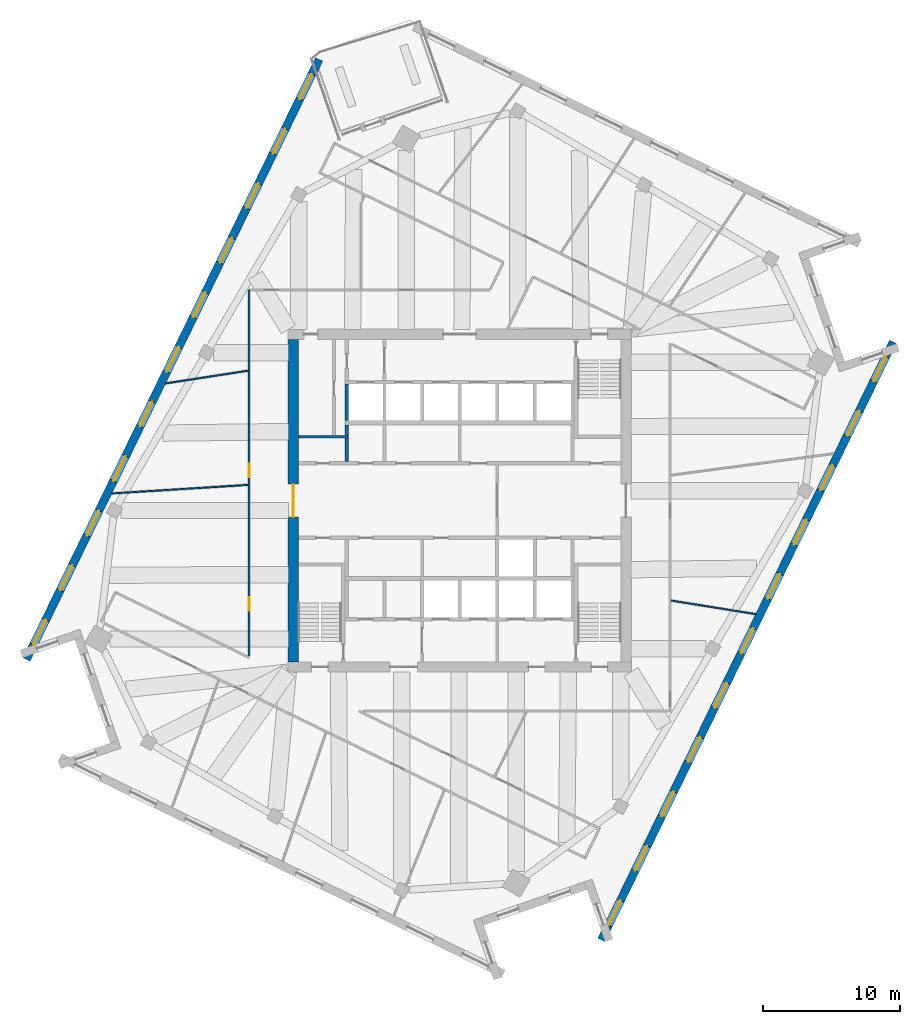
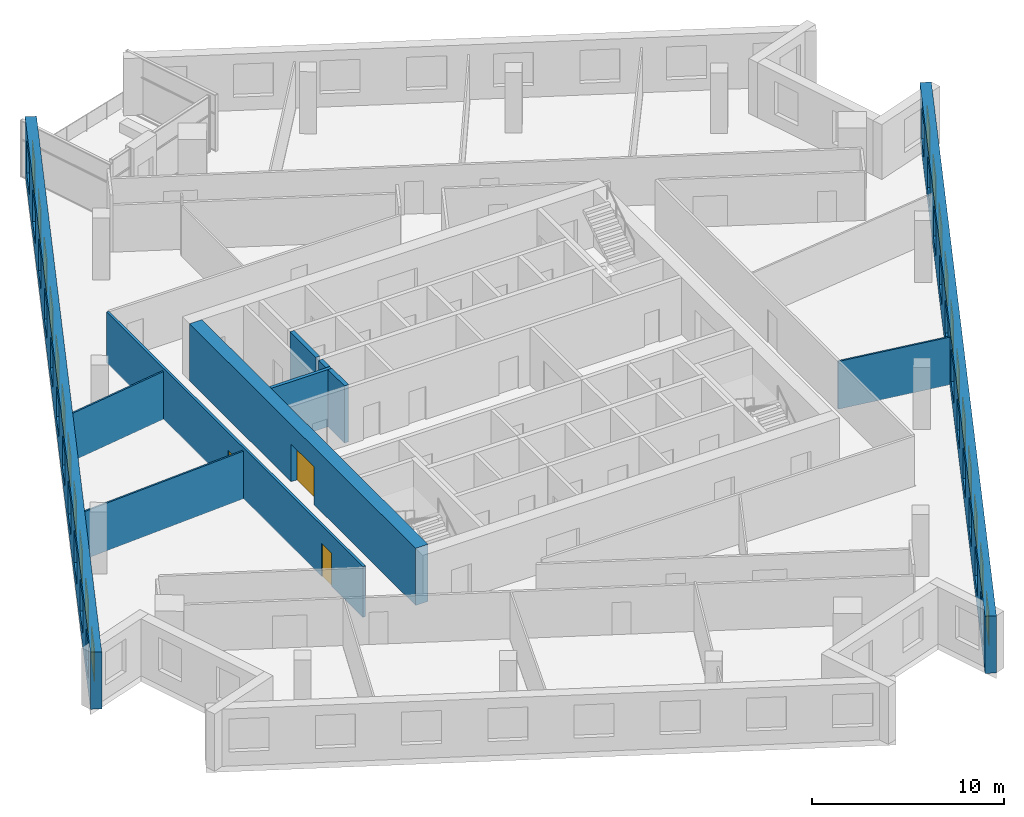
# One storey, part 8 of 13: 22 windows, 11 walls, 3 doors, 25 openings.
"""IFC4 building model written with IfcOpenShell, lengths in metres."""

from ifc_helpers import new_model, si_unit, direction, frame, frame_2d, origin, place, context, subcontext, project, spatial, rectangle, extrude, material, layer, layer_set, type_object, element, fill, save


model = new_model("IFC4")

# Units and contexts
model_context = context("Model", 3, precision=1e-05, world=origin(), true_north=direction((0.0, 1.0)))
body_context = subcontext(model_context, "Body", "Model", "MODEL_VIEW")
ifc_project = project(units=[si_unit("LENGTHUNIT", "METRE"), si_unit("AREAUNIT", "SQUARE_METRE"), si_unit("VOLUMEUNIT", "CUBIC_METRE"), si_unit("PLANEANGLEUNIT", "RADIAN"), si_unit("MASSUNIT", "GRAM", prefix="KILO")], contexts=[model_context])

# Site, building, storey
site_placement = place(None, origin())
site = spatial("IfcSite", under=ifc_project, at=site_placement, CompositionType="ELEMENT")
building_placement = place(site_placement, origin())
building = spatial("IfcBuilding", under=site, at=building_placement, Name="Dilmun Exchange Tower", CompositionType="ELEMENT")
storey_placement = place(building_placement, frame((0.0, 0.0, 282.89990234375)))
storey = spatial("IfcBuildingStorey", under=building, at=storey_placement, Name="L67", CompositionType="ELEMENT", Elevation=282.89990234375)

# Walls
ifc_material_1 = material(Name="Concrete C40/50", Category="concrete")
ifc_layer_1 = layer(ifc_material_1, 0.199951171875)
ifc_layer_set_1 = layer_set([ifc_layer_1], Name="Concrete C40/50")
wall_type_1 = type_object("IfcWallType", Name="Core partition wall 200", PredefinedType="PARTITIONING", material=ifc_layer_set_1)
wall_1_placement = place(storey_placement, frame((-11.794921875, 4.675048828125, 0.0), z_axis=(0.0, 0.0, 1.0), x_axis=(1.0, 0.0, 0.0)))
element("IfcWall", 1, at=wall_1_placement, inside=storey, type_object=wall_type_1, Name="L67 core partition wall 18", PredefinedType="PARTITIONING", context=body_context, shape_type="SweptSolid", body=[
    extrude(rectangle(XDim=3.64501953125, YDim=0.199951171875, at=frame_2d((1.822509765625, 0.0))), origin(), (0.0, 0.0, 1.0), 3.64013671875),
])
ifc_layer_2 = layer(ifc_material_1, 0.25)
ifc_layer_set_2 = layer_set([ifc_layer_2], Name="Concrete C40/50")
wall_type_2 = type_object("IfcWallType", Name="Core partition wall 250", PredefinedType="PARTITIONING", material=ifc_layer_set_2)
wall_2_placement = place(storey_placement, frame((-8.25, 2.85498046875, 0.0), z_axis=(0.0, 0.0, 1.0), x_axis=(0.0, 1.0, 0.0)))
element("IfcWall", 2, at=wall_2_placement, inside=storey, type_object=wall_type_2, Name="L67 core partition wall 14", PredefinedType="PARTITIONING", context=body_context, shape_type="SweptSolid", body=[
    extrude(rectangle(XDim=1.715087890625, YDim=0.25, at=frame_2d((0.857421875, 0.0))), origin(), (0.0, 0.0, 1.0), 3.64013671875),
])
wall_3_placement = place(storey_placement, frame((-8.25, 4.780029296875, 0.0), z_axis=(0.0, 0.0, 1.0), x_axis=(0.0, 1.0, 0.0)))
element("IfcWall", 3, at=wall_3_placement, inside=storey, type_object=wall_type_2, Name="L67 core partition wall 20", PredefinedType="PARTITIONING", context=body_context, shape_type="SweptSolid", body=[
    extrude(rectangle(XDim=0.764892578125, YDim=0.25, at=frame_2d((0.38232421875, 0.0))), origin(), (0.0, 0.0, 1.0), 3.64013671875),
])

# Wall, opening, door
ifc_material_2 = material(Name="Concrete C50/60", Category="concrete")
ifc_layer_3 = layer(ifc_material_2, 0.75)
ifc_layer_set_3 = layer_set([ifc_layer_3], Name="Concrete C50/60")
wall_type_3 = type_object("IfcWallType", Name="Core shear wall 750 Concrete C50/60", PredefinedType="SHEAR", material=ifc_layer_set_3)
wall_4_placement = place(storey_placement, frame((-12.175048828125, -11.800048828125, 0.0), z_axis=(0.0, 0.0, 1.0), x_axis=(0.0, 1.0, 0.0)))
wall_4 = element("IfcWall", 4, at=wall_4_placement, inside=storey, type_object=wall_type_3, Name="L67 core shear wall W", PredefinedType="SHEAR", context=body_context, shape_type="SweptSolid", body=[
    extrude(rectangle(XDim=23.60009765625, YDim=0.75, at=frame_2d((11.800048828125, 0.0))), origin(), (0.0, 0.0, 1.0), 3.64013671875),
])
opening_1_placement = place(wall_4_placement, frame((10.60009765625, 0.0, 0.0)))
opening_1 = element("IfcOpeningElement", 5, at=opening_1_placement, cuts=wall_4, Name="Opening CD1", PredefinedType="OPENING", context=body_context, shape_type="SweptSolid", body=[
    extrude(rectangle(XDim=2.39990234375, YDim=2.39990234375, at=frame_2d((1.199951171875, 1.199951171875))), frame((0.0, 0.385009765625, 0.0), z_axis=(0.0, -1.0, 0.0), x_axis=(1.0, 0.0, 0.0)), (0.0, 0.0, 1.0), 0.77001953125),
])
ifc_material_3 = material(Name="Fire-rated steel door set", Category="steel")
door_type_1 = type_object("IfcDoorType", Name="Core lobby door 2400x2400", OperationType="DOUBLE_DOOR_DOUBLE_SWING", PredefinedType="DOOR", material=ifc_material_3)
door_1_placement = place(opening_1_placement, origin())
door_1 = element("IfcDoor", 6, at=door_1_placement, inside=storey, type_object=door_type_1, Name="L67 door Central lift lobby", OperationType="SINGLE_SWING_LEFT", OverallHeight=2.39990234375, OverallWidth=2.39990234375, PredefinedType="DOOR", context=body_context, shape_type="SweptSolid", body=[
    extrude(rectangle(XDim=2.39990234375, YDim=2.39990234375, at=frame_2d((1.199951171875, 1.199951171875))), frame((0.0, 0.02490234375, 0.0), z_axis=(0.0, -1.0, 0.0), x_axis=(1.0, 0.0, 0.0)), (0.0, 0.0, 1.0), 0.050048828125),
])
fill(opening_1, door_1)

# Wall, openings, doors
ifc_material_4 = material(Name="Corridor wall 150")
ifc_layer_4 = layer(ifc_material_4, 0.14990234375)
ifc_layer_set_4 = layer_set([ifc_layer_4], Name="Corridor wall 150")
wall_type_4 = type_object("IfcWallType", Name="Corridor wall 150", PredefinedType="PARTITIONING", material=ifc_layer_set_4)
wall_5_placement = place(storey_placement, frame((-15.39990234375, -11.363037109375, 0.0), z_axis=(0.0, 0.0, 1.0), x_axis=(0.0, 1.0, 0.0)))
wall_5 = element("IfcWall", 7, at=wall_5_placement, inside=storey, type_object=wall_type_4, Name="Corridor wall", PredefinedType="PARTITIONING", context=body_context, shape_type="SweptSolid", body=[
    extrude(rectangle(XDim=26.762939453125, YDim=0.14990234375, at=frame_2d((13.38134765625, 0.0))), origin(), (0.0, 0.0, 1.0), 3.239990234375),
])
opening_2_placement = place(wall_5_placement, frame((3.300048828125, 0.0, 0.0)))
opening_2 = element("IfcOpeningElement", 8, at=opening_2_placement, cuts=wall_5, Name="Opening TF67-D02", PredefinedType="OPENING", context=body_context, shape_type="SweptSolid", body=[
    extrude(rectangle(XDim=1.0, YDim=2.10009765625, at=frame_2d((0.5, 1.050048828125))), frame((0.0, 0.0849609375, 0.0), z_axis=(0.0, -1.0, 0.0), x_axis=(1.0, 0.0, 0.0)), (0.0, 0.0, 1.0), 0.169921875),
])
opening_3_placement = place(wall_5_placement, frame((13.066650390625, 0.0, 0.0)))
opening_3 = element("IfcOpeningElement", 9, at=opening_3_placement, cuts=wall_5, Name="Opening TF67-D03", PredefinedType="OPENING", context=body_context, shape_type="SweptSolid", body=[
    extrude(rectangle(XDim=1.0, YDim=2.10009765625, at=frame_2d((0.5, 1.050048828125))), frame((0.0, 0.0849609375, 0.0), z_axis=(0.0, -1.0, 0.0), x_axis=(1.0, 0.0, 0.0)), (0.0, 0.0, 1.0), 0.169921875),
])
ifc_material_5 = material(Name="Fire door 1000 x 2100")
door_type_2 = type_object("IfcDoorType", Name="Fire door 1000 x 2100", OperationType="NOTDEFINED", PredefinedType="DOOR", material=ifc_material_5)
door_2_placement = place(opening_2_placement, origin())
door_2 = element("IfcDoor", 10, at=door_2_placement, inside=storey, type_object=door_type_2, Name="Door TF67-D02", OperationType="SINGLE_SWING_LEFT", OverallHeight=2.10009765625, OverallWidth=1.0, PredefinedType="DOOR", context=body_context, shape_type="SweptSolid", body=[
    extrude(rectangle(XDim=1.0, YDim=2.10009765625, at=frame_2d((0.5, 1.050048828125))), frame((0.0, 0.02490234375, 0.0), z_axis=(0.0, -1.0, 0.0), x_axis=(1.0, 0.0, 0.0)), (0.0, 0.0, 1.0), 0.050048828125),
])
fill(opening_2, door_2)
door_3_placement = place(opening_3_placement, origin())
door_3 = element("IfcDoor", 11, at=door_3_placement, inside=storey, type_object=door_type_2, Name="Door TF67-D03", OperationType="SINGLE_SWING_LEFT", OverallHeight=2.10009765625, OverallWidth=1.0, PredefinedType="DOOR", context=body_context, shape_type="SweptSolid", body=[
    extrude(rectangle(XDim=1.0, YDim=2.10009765625, at=frame_2d((0.5, 1.050048828125))), frame((0.0, 0.02490234375, 0.0), z_axis=(0.0, -1.0, 0.0), x_axis=(1.0, 0.0, 0.0)), (0.0, 0.0, 1.0), 0.050048828125),
])
fill(opening_3, door_3)

# Walls
ifc_layer_5 = layer(ifc_material_1, 0.25)
ifc_layer_set_5 = layer_set([ifc_layer_5], Name="Concrete C40/50")
wall_type_5 = type_object("IfcWallType", Name="Lift shaft wall 250", PredefinedType="SOLIDWALL", material=ifc_layer_set_5)
wall_6_placement = place(storey_placement, frame((-8.25, 5.85009765625, 0.0), z_axis=(0.0, 0.0, 1.0), x_axis=(0.0, 1.0, 0.0)))
element("IfcWall", 12, at=wall_6_placement, inside=storey, type_object=wall_type_5, Name="L67 lift shaft divider N20", PredefinedType="SOLIDWALL", context=body_context, shape_type="SweptSolid", body=[
    extrude(rectangle(XDim=2.699951171875, YDim=0.25, at=frame_2d((1.35009765625, 0.0))), origin(), (0.0, 0.0, 1.0), 3.64013671875),
])
ifc_material_6 = material(Name="Partition 100")
ifc_layer_6 = layer(ifc_material_6, 0.10009765625)
ifc_layer_set_6 = layer_set([ifc_layer_6], Name="Partition 100")
wall_type_6 = type_object("IfcWallType", Name="Partition 100", PredefinedType="PARTITIONING", material=ifc_layer_set_6)
wall_7_placement = place(storey_placement, frame((-25.442626953125, 0.525390625, 0.0), z_axis=(0.0, 0.0, 1.0), x_axis=(0.998034171975, 0.062672095621, 0.0)))
element("IfcWall", 13, at=wall_7_placement, inside=storey, type_object=wall_type_6, Name="Partition", PredefinedType="PARTITIONING", context=body_context, shape_type="SweptSolid", body=[
    extrude(rectangle(XDim=9.984130859375, YDim=0.10009765625, at=frame_2d((4.9921875, 0.0))), origin(), (0.0, 0.0, 1.0), 3.0400390625),
])
wall_8_placement = place(storey_placement, frame((-21.51708984375, 8.573974609375, 0.0), z_axis=(0.0, 0.0, 1.0), x_axis=(0.988254925965, 0.152814270625, 0.0)))
element("IfcWall", 14, at=wall_8_placement, inside=storey, type_object=wall_type_6, Name="Partition", PredefinedType="PARTITIONING", context=body_context, shape_type="SweptSolid", body=[
    extrude(rectangle(XDim=6.106201171875, YDim=0.10009765625, at=frame_2d((3.05322265625, 0.0))), origin(), (0.0, 0.0, 1.0), 3.0400390625),
])
wall_9_placement = place(storey_placement, frame((15.48291015625, -7.310302734375, 0.0), z_axis=(0.0, 0.0, 1.0), x_axis=(0.987314947832, -0.158774033734, 0.0)))
element("IfcWall", 15, at=wall_9_placement, inside=storey, type_object=wall_type_6, Name="Partition", PredefinedType="PARTITIONING", context=body_context, shape_type="SweptSolid", body=[
    extrude(rectangle(XDim=6.24609375, YDim=0.10009765625, at=frame_2d((3.123046875, 0.0))), origin(), (0.0, 0.0, 1.0), 3.0400390625),
])

# Wall, openings, windows
ifc_material_7 = material(Name="Precast concrete C50/60", Category="concrete")
ifc_layer_7 = layer(ifc_material_7, 0.60009765625)
ifc_layer_set_7 = layer_set([ifc_layer_7], Name="Precast concrete C50/60")
wall_type_7 = type_object("IfcWallType", Name="Precast stone-clad wall 600", PredefinedType="STANDARD", material=ifc_layer_set_7)
wall_10_placement = place(storey_placement, frame((-10.291748046875, 32.2783203125, 0.0), z_axis=(0.0, 0.0, 1.0), x_axis=(-0.438370550468, -0.898794337144, 0.0)))
wall_10 = element("IfcWall", 16, at=wall_10_placement, inside=storey, type_object=wall_type_7, Name="Facade wall L67-03", PredefinedType="STANDARD", context=body_context, shape_type="SweptSolid", body=[
    extrude(rectangle(XDim=48.843017578125, YDim=0.60009765625, at=frame_2d((24.42138671875, 0.0))), origin(), (0.0, 0.0, 1.0), 3.64013671875),
])
opening_4_placement = place(wall_10_placement, frame((1.22021484375, 0.0, 0.89990234375)))
opening_4 = element("IfcOpeningElement", 17, at=opening_4_placement, cuts=wall_10, Name="Opening W200-210", PredefinedType="OPENING", context=body_context, shape_type="SweptSolid", body=[
    extrude(rectangle(XDim=2.0, YDim=2.10009765625, at=frame_2d((1.0, 1.050048828125))), frame((0.0, 0.31005859375, 0.0), z_axis=(0.0, -1.0, 0.0), x_axis=(1.0, 0.0, 0.0)), (0.0, 0.0, 1.0), 0.6201171875),
])
opening_5_placement = place(wall_10_placement, frame((5.660400390625, 0.0, 0.89990234375)))
opening_5 = element("IfcOpeningElement", 18, at=opening_5_placement, cuts=wall_10, Name="Opening W200-210", PredefinedType="OPENING", context=body_context, shape_type="SweptSolid", body=[
    extrude(rectangle(XDim=2.0, YDim=2.10009765625, at=frame_2d((1.0, 1.050048828125))), frame((0.0, 0.31005859375, 0.0), z_axis=(0.0, -1.0, 0.0), x_axis=(1.0, 0.0, 0.0)), (0.0, 0.0, 1.0), 0.6201171875),
])
opening_6_placement = place(wall_10_placement, frame((10.1005859375, 0.0, 0.89990234375)))
opening_6 = element("IfcOpeningElement", 19, at=opening_6_placement, cuts=wall_10, Name="Opening W200-210", PredefinedType="OPENING", context=body_context, shape_type="SweptSolid", body=[
    extrude(rectangle(XDim=2.0, YDim=2.10009765625, at=frame_2d((1.0, 1.050048828125))), frame((0.0, 0.31005859375, 0.0), z_axis=(0.0, -1.0, 0.0), x_axis=(1.0, 0.0, 0.0)), (0.0, 0.0, 1.0), 0.6201171875),
])
opening_7_placement = place(wall_10_placement, frame((14.541015625, 0.0, 0.89990234375)))
opening_7 = element("IfcOpeningElement", 20, at=opening_7_placement, cuts=wall_10, Name="Opening W200-210", PredefinedType="OPENING", context=body_context, shape_type="SweptSolid", body=[
    extrude(rectangle(XDim=2.0, YDim=2.10009765625, at=frame_2d((1.0, 1.050048828125))), frame((0.0, 0.31005859375, 0.0), z_axis=(0.0, -1.0, 0.0), x_axis=(1.0, 0.0, 0.0)), (0.0, 0.0, 1.0), 0.6201171875),
])
opening_8_placement = place(wall_10_placement, frame((18.981201171875, 0.0, 0.89990234375)))
opening_8 = element("IfcOpeningElement", 21, at=opening_8_placement, cuts=wall_10, Name="Opening W200-210", PredefinedType="OPENING", context=body_context, shape_type="SweptSolid", body=[
    extrude(rectangle(XDim=2.0, YDim=2.10009765625, at=frame_2d((1.0, 1.050048828125))), frame((0.0, 0.31005859375, 0.0), z_axis=(0.0, -1.0, 0.0), x_axis=(1.0, 0.0, 0.0)), (0.0, 0.0, 1.0), 0.6201171875),
])
opening_9_placement = place(wall_10_placement, frame((23.421630859375, 0.0, 0.89990234375)))
opening_9 = element("IfcOpeningElement", 22, at=opening_9_placement, cuts=wall_10, Name="Opening W200-210", PredefinedType="OPENING", context=body_context, shape_type="SweptSolid", body=[
    extrude(rectangle(XDim=2.0, YDim=2.10009765625, at=frame_2d((1.0, 1.050048828125))), frame((0.0, 0.31005859375, 0.0), z_axis=(0.0, -1.0, 0.0), x_axis=(1.0, 0.0, 0.0)), (0.0, 0.0, 1.0), 0.6201171875),
])
opening_10_placement = place(wall_10_placement, frame((27.86181640625, 0.0, 0.89990234375)))
opening_10 = element("IfcOpeningElement", 23, at=opening_10_placement, cuts=wall_10, Name="Opening W200-210", PredefinedType="OPENING", context=body_context, shape_type="SweptSolid", body=[
    extrude(rectangle(XDim=2.0, YDim=2.10009765625, at=frame_2d((1.0, 1.050048828125))), frame((0.0, 0.31005859375, 0.0), z_axis=(0.0, -1.0, 0.0), x_axis=(1.0, 0.0, 0.0)), (0.0, 0.0, 1.0), 0.6201171875),
])
opening_11_placement = place(wall_10_placement, frame((32.302001953125, 0.0, 0.89990234375)))
opening_11 = element("IfcOpeningElement", 24, at=opening_11_placement, cuts=wall_10, Name="Opening W200-210", PredefinedType="OPENING", context=body_context, shape_type="SweptSolid", body=[
    extrude(rectangle(XDim=2.0, YDim=2.10009765625, at=frame_2d((1.0, 1.050048828125))), frame((0.0, 0.31005859375, 0.0), z_axis=(0.0, -1.0, 0.0), x_axis=(1.0, 0.0, 0.0)), (0.0, 0.0, 1.0), 0.6201171875),
])
opening_12_placement = place(wall_10_placement, frame((36.742431640625, 0.0, 0.89990234375)))
opening_12 = element("IfcOpeningElement", 25, at=opening_12_placement, cuts=wall_10, Name="Opening W200-210", PredefinedType="OPENING", context=body_context, shape_type="SweptSolid", body=[
    extrude(rectangle(XDim=2.0, YDim=2.10009765625, at=frame_2d((1.0, 1.050048828125))), frame((0.0, 0.31005859375, 0.0), z_axis=(0.0, -1.0, 0.0), x_axis=(1.0, 0.0, 0.0)), (0.0, 0.0, 1.0), 0.6201171875),
])
opening_13_placement = place(wall_10_placement, frame((41.1826171875, 0.0, 0.89990234375)))
opening_13 = element("IfcOpeningElement", 26, at=opening_13_placement, cuts=wall_10, Name="Opening W200-210", PredefinedType="OPENING", context=body_context, shape_type="SweptSolid", body=[
    extrude(rectangle(XDim=2.0, YDim=2.10009765625, at=frame_2d((1.0, 1.050048828125))), frame((0.0, 0.31005859375, 0.0), z_axis=(0.0, -1.0, 0.0), x_axis=(1.0, 0.0, 0.0)), (0.0, 0.0, 1.0), 0.6201171875),
])
opening_14_placement = place(wall_10_placement, frame((45.623046875, 0.0, 0.89990234375)))
opening_14 = element("IfcOpeningElement", 27, at=opening_14_placement, cuts=wall_10, Name="Opening W200-210", PredefinedType="OPENING", context=body_context, shape_type="SweptSolid", body=[
    extrude(rectangle(XDim=2.0, YDim=2.10009765625, at=frame_2d((1.0, 1.050048828125))), frame((0.0, 0.31005859375, 0.0), z_axis=(0.0, -1.0, 0.0), x_axis=(1.0, 0.0, 0.0)), (0.0, 0.0, 1.0), 0.6201171875),
])
ifc_material_8 = material(Name="Clear low-emissivity glass in aluminium frame", Category="aluminium")
window_type = type_object("IfcWindowType", Name="Punched window 2000 x 2100", PartitioningType="DOUBLE_PANEL_VERTICAL", PredefinedType="WINDOW", material=ifc_material_8)
window_1_placement = place(opening_4_placement, origin())
window_1 = element("IfcWindow", 28, at=window_1_placement, inside=storey, type_object=window_type, Name="Window 4.1", OverallHeight=2.10009765625, OverallWidth=2.0, PartitioningType="SINGLE_PANEL", PredefinedType="WINDOW", context=body_context, shape_type="SweptSolid", body=[
    extrude(rectangle(XDim=2.0, YDim=2.10009765625, at=frame_2d((1.0, 1.050048828125))), frame((0.0, 0.030029296875, 0.0), z_axis=(0.0, -1.0, 0.0), x_axis=(1.0, 0.0, 0.0)), (0.0, 0.0, 1.0), 0.06005859375),
])
fill(opening_4, window_1)
window_2_placement = place(opening_5_placement, origin())
window_2 = element("IfcWindow", 29, at=window_2_placement, inside=storey, type_object=window_type, Name="Window 4.2", OverallHeight=2.10009765625, OverallWidth=2.0, PartitioningType="SINGLE_PANEL", PredefinedType="WINDOW", context=body_context, shape_type="SweptSolid", body=[
    extrude(rectangle(XDim=2.0, YDim=2.10009765625, at=frame_2d((1.0, 1.050048828125))), frame((0.0, 0.030029296875, 0.0), z_axis=(0.0, -1.0, 0.0), x_axis=(1.0, 0.0, 0.0)), (0.0, 0.0, 1.0), 0.06005859375),
])
fill(opening_5, window_2)
window_3_placement = place(opening_6_placement, origin())
window_3 = element("IfcWindow", 30, at=window_3_placement, inside=storey, type_object=window_type, Name="Window 4.3", OverallHeight=2.10009765625, OverallWidth=2.0, PartitioningType="SINGLE_PANEL", PredefinedType="WINDOW", context=body_context, shape_type="SweptSolid", body=[
    extrude(rectangle(XDim=2.0, YDim=2.10009765625, at=frame_2d((1.0, 1.050048828125))), frame((0.0, 0.030029296875, 0.0), z_axis=(0.0, -1.0, 0.0), x_axis=(1.0, 0.0, 0.0)), (0.0, 0.0, 1.0), 0.06005859375),
])
fill(opening_6, window_3)
window_4_placement = place(opening_7_placement, origin())
window_4 = element("IfcWindow", 31, at=window_4_placement, inside=storey, type_object=window_type, Name="Window 4.4", OverallHeight=2.10009765625, OverallWidth=2.0, PartitioningType="SINGLE_PANEL", PredefinedType="WINDOW", context=body_context, shape_type="SweptSolid", body=[
    extrude(rectangle(XDim=2.0, YDim=2.10009765625, at=frame_2d((1.0, 1.050048828125))), frame((0.0, 0.030029296875, 0.0), z_axis=(0.0, -1.0, 0.0), x_axis=(1.0, 0.0, 0.0)), (0.0, 0.0, 1.0), 0.06005859375),
])
fill(opening_7, window_4)
window_5_placement = place(opening_8_placement, origin())
window_5 = element("IfcWindow", 32, at=window_5_placement, inside=storey, type_object=window_type, Name="Window 4.5", OverallHeight=2.10009765625, OverallWidth=2.0, PartitioningType="SINGLE_PANEL", PredefinedType="WINDOW", context=body_context, shape_type="SweptSolid", body=[
    extrude(rectangle(XDim=2.0, YDim=2.10009765625, at=frame_2d((1.0, 1.050048828125))), frame((0.0, 0.030029296875, 0.0), z_axis=(0.0, -1.0, 0.0), x_axis=(1.0, 0.0, 0.0)), (0.0, 0.0, 1.0), 0.06005859375),
])
fill(opening_8, window_5)
window_6_placement = place(opening_9_placement, origin())
window_6 = element("IfcWindow", 33, at=window_6_placement, inside=storey, type_object=window_type, Name="Window 4.6", OverallHeight=2.10009765625, OverallWidth=2.0, PartitioningType="SINGLE_PANEL", PredefinedType="WINDOW", context=body_context, shape_type="SweptSolid", body=[
    extrude(rectangle(XDim=2.0, YDim=2.10009765625, at=frame_2d((1.0, 1.050048828125))), frame((0.0, 0.030029296875, 0.0), z_axis=(0.0, -1.0, 0.0), x_axis=(1.0, 0.0, 0.0)), (0.0, 0.0, 1.0), 0.06005859375),
])
fill(opening_9, window_6)
window_7_placement = place(opening_10_placement, origin())
window_7 = element("IfcWindow", 34, at=window_7_placement, inside=storey, type_object=window_type, Name="Window 4.7", OverallHeight=2.10009765625, OverallWidth=2.0, PartitioningType="SINGLE_PANEL", PredefinedType="WINDOW", context=body_context, shape_type="SweptSolid", body=[
    extrude(rectangle(XDim=2.0, YDim=2.10009765625, at=frame_2d((1.0, 1.050048828125))), frame((0.0, 0.030029296875, 0.0), z_axis=(0.0, -1.0, 0.0), x_axis=(1.0, 0.0, 0.0)), (0.0, 0.0, 1.0), 0.06005859375),
])
fill(opening_10, window_7)
window_8_placement = place(opening_11_placement, origin())
window_8 = element("IfcWindow", 35, at=window_8_placement, inside=storey, type_object=window_type, Name="Window 4.8", OverallHeight=2.10009765625, OverallWidth=2.0, PartitioningType="SINGLE_PANEL", PredefinedType="WINDOW", context=body_context, shape_type="SweptSolid", body=[
    extrude(rectangle(XDim=2.0, YDim=2.10009765625, at=frame_2d((1.0, 1.050048828125))), frame((0.0, 0.030029296875, 0.0), z_axis=(0.0, -1.0, 0.0), x_axis=(1.0, 0.0, 0.0)), (0.0, 0.0, 1.0), 0.06005859375),
])
fill(opening_11, window_8)
window_9_placement = place(opening_12_placement, origin())
window_9 = element("IfcWindow", 36, at=window_9_placement, inside=storey, type_object=window_type, Name="Window 4.9", OverallHeight=2.10009765625, OverallWidth=2.0, PartitioningType="SINGLE_PANEL", PredefinedType="WINDOW", context=body_context, shape_type="SweptSolid", body=[
    extrude(rectangle(XDim=2.0, YDim=2.10009765625, at=frame_2d((1.0, 1.050048828125))), frame((0.0, 0.030029296875, 0.0), z_axis=(0.0, -1.0, 0.0), x_axis=(1.0, 0.0, 0.0)), (0.0, 0.0, 1.0), 0.06005859375),
])
fill(opening_12, window_9)
window_10_placement = place(opening_13_placement, origin())
window_10 = element("IfcWindow", 37, at=window_10_placement, inside=storey, type_object=window_type, Name="Window 4.10", OverallHeight=2.10009765625, OverallWidth=2.0, PartitioningType="SINGLE_PANEL", PredefinedType="WINDOW", context=body_context, shape_type="SweptSolid", body=[
    extrude(rectangle(XDim=2.0, YDim=2.10009765625, at=frame_2d((1.0, 1.050048828125))), frame((0.0, 0.030029296875, 0.0), z_axis=(0.0, -1.0, 0.0), x_axis=(1.0, 0.0, 0.0)), (0.0, 0.0, 1.0), 0.06005859375),
])
fill(opening_13, window_10)
window_11_placement = place(opening_14_placement, origin())
window_11 = element("IfcWindow", 38, at=window_11_placement, inside=storey, type_object=window_type, Name="Window 4.11", OverallHeight=2.10009765625, OverallWidth=2.0, PartitioningType="SINGLE_PANEL", PredefinedType="WINDOW", context=body_context, shape_type="SweptSolid", body=[
    extrude(rectangle(XDim=2.0, YDim=2.10009765625, at=frame_2d((1.0, 1.050048828125))), frame((0.0, 0.030029296875, 0.0), z_axis=(0.0, -1.0, 0.0), x_axis=(1.0, 0.0, 0.0)), (0.0, 0.0, 1.0), 0.06005859375),
])
fill(opening_14, window_11)

wall_11_placement = place(storey_placement, frame((10.3603515625, -32.137451171875, 0.0), z_axis=(0.0, 0.0, 1.0), x_axis=(0.438372256832, 0.898793504894, 0.0)))
wall_11 = element("IfcWall", 39, at=wall_11_placement, inside=storey, type_object=wall_type_7, Name="Facade wall L67-11", PredefinedType="STANDARD", context=body_context, shape_type="SweptSolid", body=[
    extrude(rectangle(XDim=48.6865234375, YDim=0.60009765625, at=frame_2d((24.34326171875, 0.0))), origin(), (0.0, 0.0, 1.0), 3.64013671875),
])
opening_15_placement = place(wall_11_placement, frame((1.212890625, 0.0, 0.89990234375)))
opening_15 = element("IfcOpeningElement", 40, at=opening_15_placement, cuts=wall_11, Name="Opening W200-210", PredefinedType="OPENING", context=body_context, shape_type="SweptSolid", body=[
    extrude(rectangle(XDim=2.0, YDim=2.10009765625, at=frame_2d((1.0, 1.050048828125))), frame((0.0, 0.31005859375, 0.0), z_axis=(0.0, -1.0, 0.0), x_axis=(1.0, 0.0, 0.0)), (0.0, 0.0, 1.0), 0.6201171875),
])
opening_16_placement = place(wall_11_placement, frame((5.638916015625, 0.0, 0.89990234375)))
opening_16 = element("IfcOpeningElement", 41, at=opening_16_placement, cuts=wall_11, Name="Opening W200-210", PredefinedType="OPENING", context=body_context, shape_type="SweptSolid", body=[
    extrude(rectangle(XDim=2.0, YDim=2.10009765625, at=frame_2d((1.0, 1.050048828125))), frame((0.0, 0.31005859375, 0.0), z_axis=(0.0, -1.0, 0.0), x_axis=(1.0, 0.0, 0.0)), (0.0, 0.0, 1.0), 0.6201171875),
])
opening_17_placement = place(wall_11_placement, frame((10.065185546875, 0.0, 0.89990234375)))
opening_17 = element("IfcOpeningElement", 42, at=opening_17_placement, cuts=wall_11, Name="Opening W200-210", PredefinedType="OPENING", context=body_context, shape_type="SweptSolid", body=[
    extrude(rectangle(XDim=2.0, YDim=2.10009765625, at=frame_2d((1.0, 1.050048828125))), frame((0.0, 0.31005859375, 0.0), z_axis=(0.0, -1.0, 0.0), x_axis=(1.0, 0.0, 0.0)), (0.0, 0.0, 1.0), 0.6201171875),
])
opening_18_placement = place(wall_11_placement, frame((14.4912109375, 0.0, 0.89990234375)))
opening_18 = element("IfcOpeningElement", 43, at=opening_18_placement, cuts=wall_11, Name="Opening W200-210", PredefinedType="OPENING", context=body_context, shape_type="SweptSolid", body=[
    extrude(rectangle(XDim=2.0, YDim=2.10009765625, at=frame_2d((1.0, 1.050048828125))), frame((0.0, 0.31005859375, 0.0), z_axis=(0.0, -1.0, 0.0), x_axis=(1.0, 0.0, 0.0)), (0.0, 0.0, 1.0), 0.6201171875),
])
opening_19_placement = place(wall_11_placement, frame((18.9169921875, 0.0, 0.89990234375)))
opening_19 = element("IfcOpeningElement", 44, at=opening_19_placement, cuts=wall_11, Name="Opening W200-210", PredefinedType="OPENING", context=body_context, shape_type="SweptSolid", body=[
    extrude(rectangle(XDim=2.0, YDim=2.10009765625, at=frame_2d((1.0, 1.050048828125))), frame((0.0, 0.31005859375, 0.0), z_axis=(0.0, -1.0, 0.0), x_axis=(1.0, 0.0, 0.0)), (0.0, 0.0, 1.0), 0.6201171875),
])
opening_20_placement = place(wall_11_placement, frame((23.343017578125, 0.0, 0.89990234375)))
opening_20 = element("IfcOpeningElement", 45, at=opening_20_placement, cuts=wall_11, Name="Opening W200-210", PredefinedType="OPENING", context=body_context, shape_type="SweptSolid", body=[
    extrude(rectangle(XDim=2.0, YDim=2.10009765625, at=frame_2d((1.0, 1.050048828125))), frame((0.0, 0.31005859375, 0.0), z_axis=(0.0, -1.0, 0.0), x_axis=(1.0, 0.0, 0.0)), (0.0, 0.0, 1.0), 0.6201171875),
])
opening_21_placement = place(wall_11_placement, frame((27.769287109375, 0.0, 0.89990234375)))
opening_21 = element("IfcOpeningElement", 46, at=opening_21_placement, cuts=wall_11, Name="Opening W200-210", PredefinedType="OPENING", context=body_context, shape_type="SweptSolid", body=[
    extrude(rectangle(XDim=2.0, YDim=2.10009765625, at=frame_2d((1.0, 1.050048828125))), frame((0.0, 0.31005859375, 0.0), z_axis=(0.0, -1.0, 0.0), x_axis=(1.0, 0.0, 0.0)), (0.0, 0.0, 1.0), 0.6201171875),
])
opening_22_placement = place(wall_11_placement, frame((32.1953125, 0.0, 0.89990234375)))
opening_22 = element("IfcOpeningElement", 47, at=opening_22_placement, cuts=wall_11, Name="Opening W200-210", PredefinedType="OPENING", context=body_context, shape_type="SweptSolid", body=[
    extrude(rectangle(XDim=2.0, YDim=2.10009765625, at=frame_2d((1.0, 1.050048828125))), frame((0.0, 0.31005859375, 0.0), z_axis=(0.0, -1.0, 0.0), x_axis=(1.0, 0.0, 0.0)), (0.0, 0.0, 1.0), 0.6201171875),
])
opening_23_placement = place(wall_11_placement, frame((36.62109375, 0.0, 0.89990234375)))
opening_23 = element("IfcOpeningElement", 48, at=opening_23_placement, cuts=wall_11, Name="Opening W200-210", PredefinedType="OPENING", context=body_context, shape_type="SweptSolid", body=[
    extrude(rectangle(XDim=2.0, YDim=2.10009765625, at=frame_2d((1.0, 1.050048828125))), frame((0.0, 0.31005859375, 0.0), z_axis=(0.0, -1.0, 0.0), x_axis=(1.0, 0.0, 0.0)), (0.0, 0.0, 1.0), 0.6201171875),
])
opening_24_placement = place(wall_11_placement, frame((41.04736328125, 0.0, 0.89990234375)))
opening_24 = element("IfcOpeningElement", 49, at=opening_24_placement, cuts=wall_11, Name="Opening W200-210", PredefinedType="OPENING", context=body_context, shape_type="SweptSolid", body=[
    extrude(rectangle(XDim=2.0, YDim=2.10009765625, at=frame_2d((1.0, 1.050048828125))), frame((0.0, 0.31005859375, 0.0), z_axis=(0.0, -1.0, 0.0), x_axis=(1.0, 0.0, 0.0)), (0.0, 0.0, 1.0), 0.6201171875),
])
opening_25_placement = place(wall_11_placement, frame((45.473388671875, 0.0, 0.89990234375)))
opening_25 = element("IfcOpeningElement", 50, at=opening_25_placement, cuts=wall_11, Name="Opening W200-210", PredefinedType="OPENING", context=body_context, shape_type="SweptSolid", body=[
    extrude(rectangle(XDim=2.0, YDim=2.10009765625, at=frame_2d((1.0, 1.050048828125))), frame((0.0, 0.31005859375, 0.0), z_axis=(0.0, -1.0, 0.0), x_axis=(1.0, 0.0, 0.0)), (0.0, 0.0, 1.0), 0.6201171875),
])
window_12_placement = place(opening_15_placement, origin())
window_12 = element("IfcWindow", 51, at=window_12_placement, inside=storey, type_object=window_type, Name="Window 12.1", OverallHeight=2.10009765625, OverallWidth=2.0, PartitioningType="SINGLE_PANEL", PredefinedType="WINDOW", context=body_context, shape_type="SweptSolid", body=[
    extrude(rectangle(XDim=2.0, YDim=2.10009765625, at=frame_2d((1.0, 1.050048828125))), frame((0.0, 0.030029296875, 0.0), z_axis=(0.0, -1.0, 0.0), x_axis=(1.0, 0.0, 0.0)), (0.0, 0.0, 1.0), 0.06005859375),
])
fill(opening_15, window_12)
window_13_placement = place(opening_16_placement, origin())
window_13 = element("IfcWindow", 52, at=window_13_placement, inside=storey, type_object=window_type, Name="Window 12.2", OverallHeight=2.10009765625, OverallWidth=2.0, PartitioningType="SINGLE_PANEL", PredefinedType="WINDOW", context=body_context, shape_type="SweptSolid", body=[
    extrude(rectangle(XDim=2.0, YDim=2.10009765625, at=frame_2d((1.0, 1.050048828125))), frame((0.0, 0.030029296875, 0.0), z_axis=(0.0, -1.0, 0.0), x_axis=(1.0, 0.0, 0.0)), (0.0, 0.0, 1.0), 0.06005859375),
])
fill(opening_16, window_13)
window_14_placement = place(opening_17_placement, origin())
window_14 = element("IfcWindow", 53, at=window_14_placement, inside=storey, type_object=window_type, Name="Window 12.3", OverallHeight=2.10009765625, OverallWidth=2.0, PartitioningType="SINGLE_PANEL", PredefinedType="WINDOW", context=body_context, shape_type="SweptSolid", body=[
    extrude(rectangle(XDim=2.0, YDim=2.10009765625, at=frame_2d((1.0, 1.050048828125))), frame((0.0, 0.030029296875, 0.0), z_axis=(0.0, -1.0, 0.0), x_axis=(1.0, 0.0, 0.0)), (0.0, 0.0, 1.0), 0.06005859375),
])
fill(opening_17, window_14)
window_15_placement = place(opening_18_placement, origin())
window_15 = element("IfcWindow", 54, at=window_15_placement, inside=storey, type_object=window_type, Name="Window 12.4", OverallHeight=2.10009765625, OverallWidth=2.0, PartitioningType="SINGLE_PANEL", PredefinedType="WINDOW", context=body_context, shape_type="SweptSolid", body=[
    extrude(rectangle(XDim=2.0, YDim=2.10009765625, at=frame_2d((1.0, 1.050048828125))), frame((0.0, 0.030029296875, 0.0), z_axis=(0.0, -1.0, 0.0), x_axis=(1.0, 0.0, 0.0)), (0.0, 0.0, 1.0), 0.06005859375),
])
fill(opening_18, window_15)
window_16_placement = place(opening_19_placement, origin())
window_16 = element("IfcWindow", 55, at=window_16_placement, inside=storey, type_object=window_type, Name="Window 12.5", OverallHeight=2.10009765625, OverallWidth=2.0, PartitioningType="SINGLE_PANEL", PredefinedType="WINDOW", context=body_context, shape_type="SweptSolid", body=[
    extrude(rectangle(XDim=2.0, YDim=2.10009765625, at=frame_2d((1.0, 1.050048828125))), frame((0.0, 0.030029296875, 0.0), z_axis=(0.0, -1.0, 0.0), x_axis=(1.0, 0.0, 0.0)), (0.0, 0.0, 1.0), 0.06005859375),
])
fill(opening_19, window_16)
window_17_placement = place(opening_20_placement, origin())
window_17 = element("IfcWindow", 56, at=window_17_placement, inside=storey, type_object=window_type, Name="Window 12.6", OverallHeight=2.10009765625, OverallWidth=2.0, PartitioningType="SINGLE_PANEL", PredefinedType="WINDOW", context=body_context, shape_type="SweptSolid", body=[
    extrude(rectangle(XDim=2.0, YDim=2.10009765625, at=frame_2d((1.0, 1.050048828125))), frame((0.0, 0.030029296875, 0.0), z_axis=(0.0, -1.0, 0.0), x_axis=(1.0, 0.0, 0.0)), (0.0, 0.0, 1.0), 0.06005859375),
])
fill(opening_20, window_17)
window_18_placement = place(opening_21_placement, origin())
window_18 = element("IfcWindow", 57, at=window_18_placement, inside=storey, type_object=window_type, Name="Window 12.7", OverallHeight=2.10009765625, OverallWidth=2.0, PartitioningType="SINGLE_PANEL", PredefinedType="WINDOW", context=body_context, shape_type="SweptSolid", body=[
    extrude(rectangle(XDim=2.0, YDim=2.10009765625, at=frame_2d((1.0, 1.050048828125))), frame((0.0, 0.030029296875, 0.0), z_axis=(0.0, -1.0, 0.0), x_axis=(1.0, 0.0, 0.0)), (0.0, 0.0, 1.0), 0.06005859375),
])
fill(opening_21, window_18)
window_19_placement = place(opening_22_placement, origin())
window_19 = element("IfcWindow", 58, at=window_19_placement, inside=storey, type_object=window_type, Name="Window 12.8", OverallHeight=2.10009765625, OverallWidth=2.0, PartitioningType="SINGLE_PANEL", PredefinedType="WINDOW", context=body_context, shape_type="SweptSolid", body=[
    extrude(rectangle(XDim=2.0, YDim=2.10009765625, at=frame_2d((1.0, 1.050048828125))), frame((0.0, 0.030029296875, 0.0), z_axis=(0.0, -1.0, 0.0), x_axis=(1.0, 0.0, 0.0)), (0.0, 0.0, 1.0), 0.06005859375),
])
fill(opening_22, window_19)
window_20_placement = place(opening_23_placement, origin())
window_20 = element("IfcWindow", 59, at=window_20_placement, inside=storey, type_object=window_type, Name="Window 12.9", OverallHeight=2.10009765625, OverallWidth=2.0, PartitioningType="SINGLE_PANEL", PredefinedType="WINDOW", context=body_context, shape_type="SweptSolid", body=[
    extrude(rectangle(XDim=2.0, YDim=2.10009765625, at=frame_2d((1.0, 1.050048828125))), frame((0.0, 0.030029296875, 0.0), z_axis=(0.0, -1.0, 0.0), x_axis=(1.0, 0.0, 0.0)), (0.0, 0.0, 1.0), 0.06005859375),
])
fill(opening_23, window_20)
window_21_placement = place(opening_24_placement, origin())
window_21 = element("IfcWindow", 60, at=window_21_placement, inside=storey, type_object=window_type, Name="Window 12.10", OverallHeight=2.10009765625, OverallWidth=2.0, PartitioningType="SINGLE_PANEL", PredefinedType="WINDOW", context=body_context, shape_type="SweptSolid", body=[
    extrude(rectangle(XDim=2.0, YDim=2.10009765625, at=frame_2d((1.0, 1.050048828125))), frame((0.0, 0.030029296875, 0.0), z_axis=(0.0, -1.0, 0.0), x_axis=(1.0, 0.0, 0.0)), (0.0, 0.0, 1.0), 0.06005859375),
])
fill(opening_24, window_21)
window_22_placement = place(opening_25_placement, origin())
window_22 = element("IfcWindow", 61, at=window_22_placement, inside=storey, type_object=window_type, Name="Window 12.11", OverallHeight=2.10009765625, OverallWidth=2.0, PartitioningType="SINGLE_PANEL", PredefinedType="WINDOW", context=body_context, shape_type="SweptSolid", body=[
    extrude(rectangle(XDim=2.0, YDim=2.10009765625, at=frame_2d((1.0, 1.050048828125))), frame((0.0, 0.030029296875, 0.0), z_axis=(0.0, -1.0, 0.0), x_axis=(1.0, 0.0, 0.0)), (0.0, 0.0, 1.0), 0.06005859375),
])
fill(opening_25, window_22)

save(model, "model.ifc")
